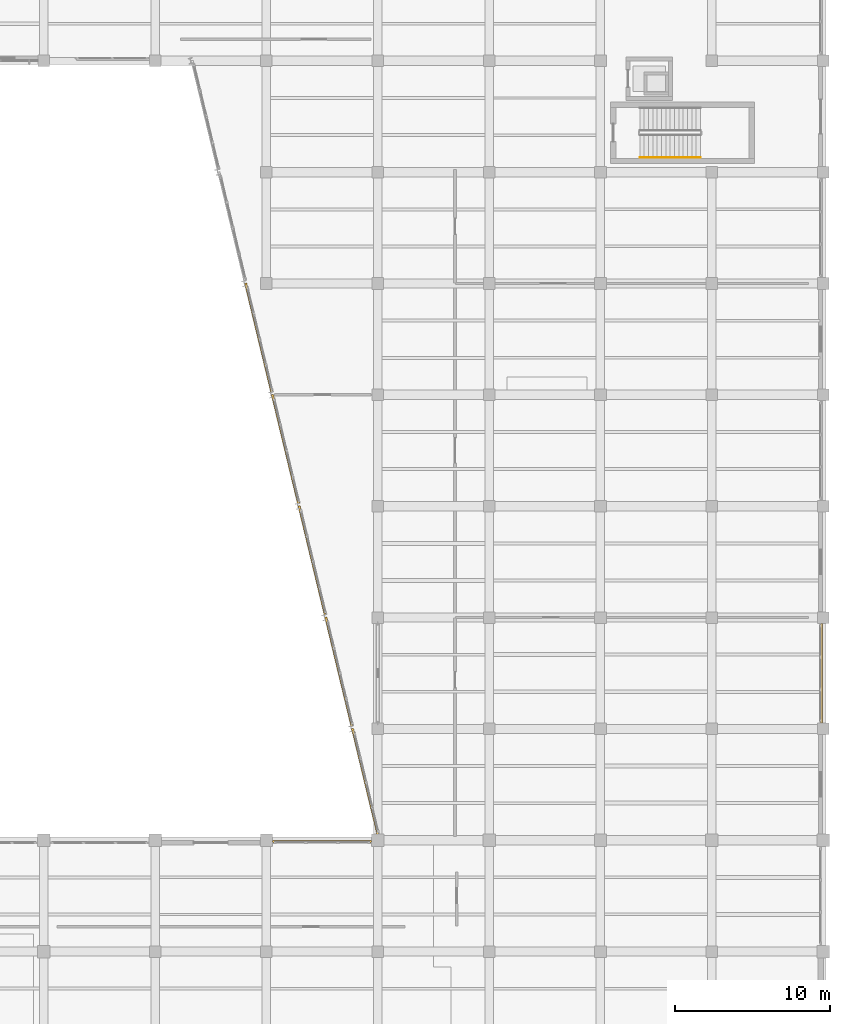
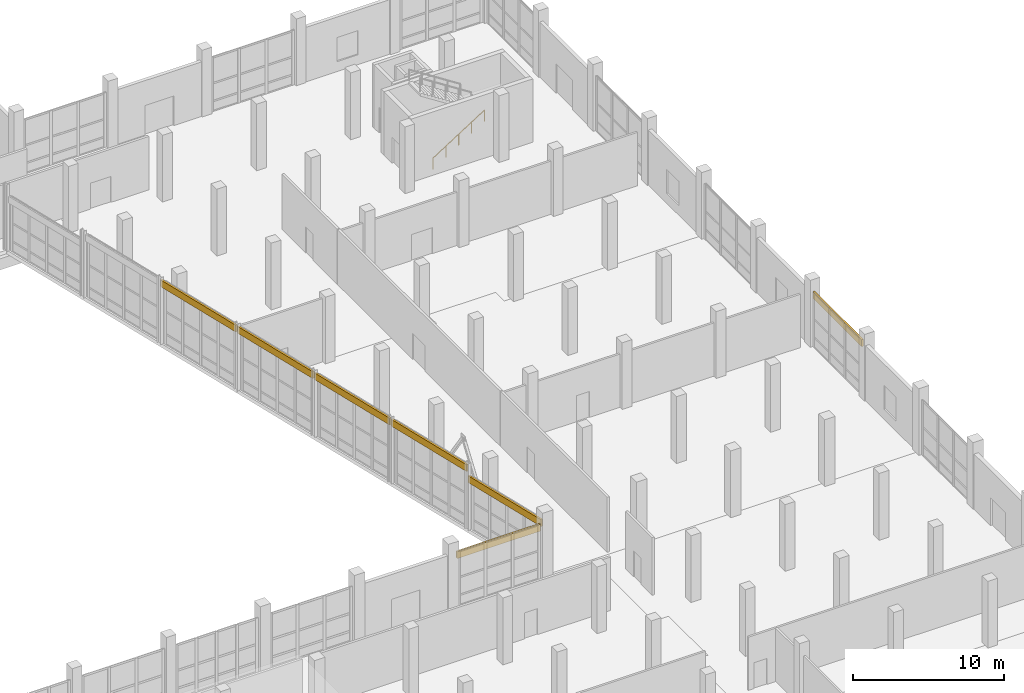
# One storey, part 134 of 137: 7 shading devices, 1 railing.
"""IFC4 building model written with IfcOpenShell, lengths in metres."""

from ifc_helpers import new_model, si_unit, direction, frame, origin, origin_2d, place, context, subcontext, project, spatial, rectangle, circle, extrude, material, layer, layer_set, type_object, element, save


model = new_model("IFC4")

# Units and contexts
model_context = context("Model", 3, precision=1e-05, world=origin(), true_north=direction((0.0, 1.0)))
body_context = subcontext(model_context, "Body", "Model", "MODEL_VIEW")
ifc_project = project(units=[si_unit("LENGTHUNIT", "METRE"), si_unit("AREAUNIT", "SQUARE_METRE"), si_unit("VOLUMEUNIT", "CUBIC_METRE"), si_unit("PLANEANGLEUNIT", "RADIAN"), si_unit("MASSUNIT", "GRAM", prefix="KILO")], contexts=[model_context])

# Site, building, storey
site_placement = place(None, origin())
site = spatial("IfcSite", under=ifc_project, at=site_placement, CompositionType="ELEMENT")
building_placement = place(site_placement, origin())
building = spatial("IfcBuilding", under=site, at=building_placement, Name="Kalmorath City Hall", CompositionType="ELEMENT")
storey_placement = place(building_placement, origin())
storey = spatial("IfcBuildingStorey", under=building, at=storey_placement, Name="L00", CompositionType="ELEMENT", Elevation=0.0)

# Shading devices
ifc_material_1 = material(Name="Bronze anodised storm louvre")
ifc_layer = layer(ifc_material_1, 0.139892578125)
ifc_layer_set = layer_set([ifc_layer], Name="Bronze anodised storm louvre")
shading_device_type = type_object("IfcShadingDeviceType", Name="Hurricane bronze storm louvre bank", PredefinedType="JALOUSIE", material=ifc_layer_set)
shading_device_1_placement = place(storey_placement, frame((165.5, 54.0, 3.8857421875), z_axis=(0.0, 0.0, 1.0), x_axis=(0.0, -1.0, 0.0)))
element("IfcShadingDevice", 1, at=shading_device_1_placement, inside=storey, type_object=shading_device_type, Name="L00 library storm louvre #49", PredefinedType="JALOUSIE", context=body_context, shape_type="SweptSolid", body=[
    extrude(rectangle(XDim=6.447998046875, YDim=0.139892578125, at=origin_2d()), origin(), (0.0, 0.0, 1.0), 0.550048828125),
])
shading_device_2_placement = place(storey_placement, frame((133.199951171875, 43.10009765625, 3.8359375), z_axis=(0.0, 0.0, 1.0), x_axis=(1.0, 0.0, 0.0)))
element("IfcShadingDevice", 2, at=shading_device_2_placement, inside=storey, type_object=shading_device_type, Name="L00 library storm louvre #62", PredefinedType="JALOUSIE", context=body_context, shape_type="SweptSolid", body=[
    extrude(rectangle(XDim=6.39794921875, YDim=0.139892578125, at=origin_2d()), origin(), (0.0, 0.0, 1.0), 0.550048828125),
])
shading_device_3_placement = place(storey_placement, frame((135.9892578125, 47.005126953125, 3.73583984375), z_axis=(0.0, 0.0, 1.0), x_axis=(-0.233445363856, 0.972369920398, 0.0)))
element("IfcShadingDevice", 3, at=shading_device_3_placement, inside=storey, type_object=shading_device_type, Name="L00 library storm louvre #63", PredefinedType="JALOUSIE", context=body_context, shape_type="SweptSolid", body=[
    extrude(rectangle(XDim=7.030517578125, YDim=0.139892578125, at=origin_2d()), origin(), (0.0, 0.0, 1.0), 0.550048828125),
])
for number, where, z_axis, x_axis, name in (
    (4, (134.287109375, 54.09521484375, 4.544921875), (0.0, 0.0, 1.0), (-0.233445363856, 0.972369920398, 0.0), "L00 library storm louvre #64"),
    (5, (132.558349609375, 61.295166015625, 4.544921875), (0.0, 0.0, 1.0), (-0.233445363856, 0.972369920398, 0.0), "L00 library storm louvre #65"),
    (6, (130.829833984375, 68.4951171875, 4.544921875), (0.0, 0.0, 1.0), (-0.233445363856, 0.972369920398, 0.0), "L00 library storm louvre #66"),
    (7, (129.101318359375, 75.6953125, 4.544921875), (0.0, 0.0, 1.0), (-0.233445363856, 0.972369920398, 0.0), "L00 library storm louvre #67"),
):
    element("IfcShadingDevice", number, at=place(storey_placement, frame(where, z_axis=z_axis, x_axis=x_axis)), inside=storey, type_object=shading_device_type, Name=name, PredefinedType="JALOUSIE", context=body_context, shape_type="SweptSolid", body=[
        extrude(rectangle(XDim=7.2568359375, YDim=0.139892578125, at=origin_2d()), origin(), (0.0, 0.0, 1.0), 0.550048828125),
    ])

# Railing
ifc_material_2 = material(Name="Brushed stainless steel handrail", Category="steel")
railing_type = type_object("IfcRailingType", Name="Stair pitch handrail 900", PredefinedType="HANDRAIL", material=ifc_material_2)
railing_placement = place(storey_placement, frame((153.75, 87.35009765625, 0.179931640625)))
element("IfcRailing", 8, at=railing_placement, inside=storey, type_object=railing_type, Name="L00 ST-6 stair handrail 1", PredefinedType="HANDRAIL", context=body_context, shape_type="SweptSolid", body=[
    extrude(circle(Radius=0.02392578125, at=origin_2d()), frame((0.0, 0.0, 0.8759765625), z_axis=(0.841171666519, 0.0, 0.540768182723), x_axis=(0.0, 1.0, 0.0)), (0.0, 0.0, 1.0), 4.66015625),
    extrude(circle(Radius=0.02099609375, at=origin_2d()), origin(), (0.0, 0.0, 1.0), 0.851806640625),
    extrude(circle(Radius=0.02099609375, at=origin_2d()), frame((0.97998046875, 0.0, 0.6298828125)), (0.0, 0.0, 1.0), 0.851806640625),
    extrude(circle(Radius=0.02099609375, at=origin_2d()), frame((1.9599609375, 0.0, 1.260009765625)), (0.0, 0.0, 1.0), 0.851806640625),
    extrude(circle(Radius=0.02099609375, at=origin_2d()), frame((2.93994140625, 0.0, 1.89013671875)), (0.0, 0.0, 1.0), 0.851806640625),
    extrude(circle(Radius=0.02099609375, at=origin_2d()), frame((3.919921875, 0.0, 2.52001953125)), (0.0, 0.0, 1.0), 0.851806640625),
])

save(model, "model.ifc")
